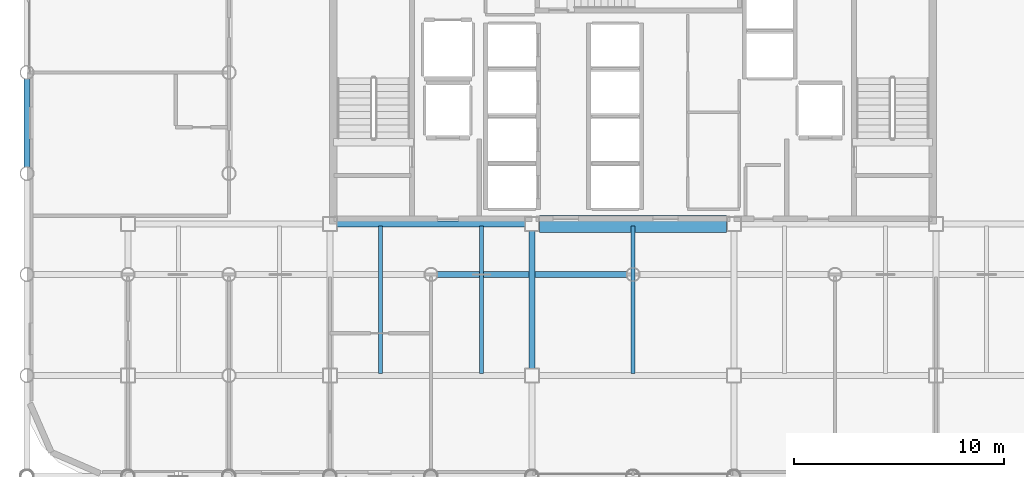
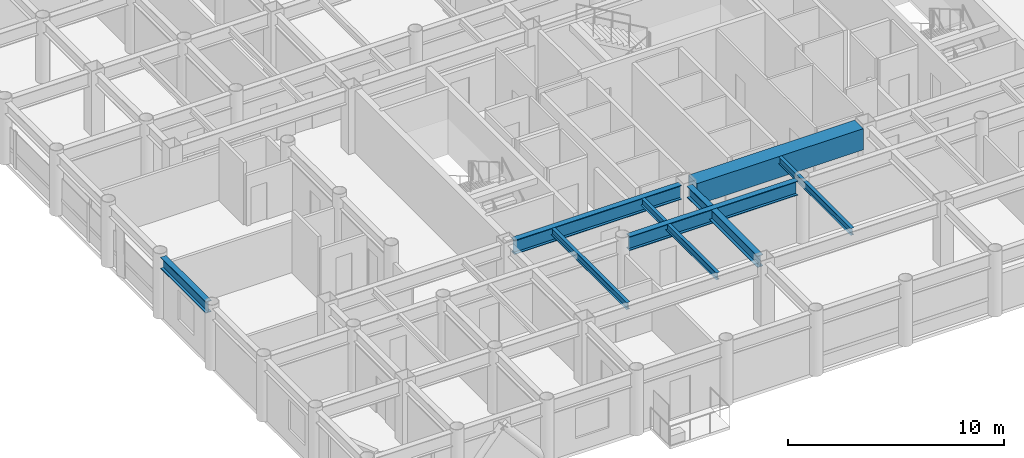
# One storey, part 3 of 22: 8 beams.
"""IFC4 building model written with IfcOpenShell, lengths in metres."""

from ifc_helpers import new_model, si_unit, direction, frame, origin, origin_2d, place, context, subcontext, project, spatial, rectangle, i_section, extrude, material, material_profile, profile_set, type_object, element, save


model = new_model("IFC4")

# Units and contexts
model_context = context("Model", 3, precision=1e-05, world=origin(), true_north=direction((0.0, 1.0)))
body_context = subcontext(model_context, "Body", "Model", "MODEL_VIEW")
ifc_project = project(units=[si_unit("LENGTHUNIT", "METRE"), si_unit("AREAUNIT", "SQUARE_METRE"), si_unit("VOLUMEUNIT", "CUBIC_METRE"), si_unit("PLANEANGLEUNIT", "RADIAN"), si_unit("MASSUNIT", "GRAM", prefix="KILO")], contexts=[model_context])

# Site, building, storey
site_placement = place(None, origin())
site = spatial("IfcSite", under=ifc_project, at=site_placement, CompositionType="ELEMENT")
building_placement = place(site_placement, origin())
building = spatial("IfcBuilding", under=site, at=building_placement, Name="Kallvorn Hotel Tower", CompositionType="ELEMENT")
storey_placement = place(building_placement, frame((0.0, 0.0, 102.60009765625)))
storey = spatial("IfcBuildingStorey", under=building, at=storey_placement, Name="L24", CompositionType="ELEMENT", Elevation=102.60009765625)

# Beams
ifc_material_1 = material(Name="Structural steel S355JR", Category="steel")
ifc_material_profile_1 = material_profile(ifc_material_1, i_section(OverallWidth=0.300048828125, OverallDepth=0.64990234375, WebThickness=0.01611328125, FlangeThickness=0.031005859375, at=origin_2d()), Name="HE 650 B")
ifc_profile_set_1 = profile_set([ifc_material_profile_1], Name="Structural steel S355JR")
beam_type_1 = type_object("IfcBeamType", Name="BM_HE650B", PredefinedType="BEAM", material=ifc_profile_set_1)
beam_1_placement = place(storey_placement, frame((-28.800048828125, -4.4951171875, 3.19482421875), z_axis=(0.0, 1.0, 0.0), x_axis=(-1.0, 0.0, 0.0)))
element("IfcBeam", 1, at=beam_1_placement, inside=storey, type_object=beam_type_1, Name="L25 Primary Y-Girder 76", PredefinedType="BEAM", context=body_context, shape_type="SweptSolid", body=[
    extrude(i_section(OverallWidth=0.300048828125, OverallDepth=0.64990234375, WebThickness=0.01611328125, FlangeThickness=0.031005859375, at=origin_2d()), origin(), (0.0, 0.0, 1.0), 4.190185546875),
])
beam_2_placement = place(storey_placement, frame((-4.800048828125, -14.074951171875, 3.19482421875), z_axis=(0.0, 1.0, 0.0), x_axis=(-1.0, 0.0, 0.0)))
element("IfcBeam", 2, at=beam_2_placement, inside=storey, type_object=beam_type_1, Name="L25 Primary Y-Girder 106", PredefinedType="BEAM", context=body_context, shape_type="SweptSolid", body=[
    extrude(i_section(OverallWidth=0.300048828125, OverallDepth=0.64990234375, WebThickness=0.01611328125, FlangeThickness=0.031005859375, at=origin_2d()), origin(), (0.0, 0.0, 1.0), 6.550048828125),
])
ifc_material_2 = material(Name="Structural steel S355JR", Category="steel")
ifc_material_profile_2 = material_profile(ifc_material_2, i_section(OverallWidth=0.300048828125, OverallDepth=0.800048828125, WebThickness=0.017578125, FlangeThickness=0.032958984375, at=origin_2d()), Name="HE 800 B")
ifc_profile_set_2 = profile_set([ifc_material_profile_2], Name="Structural steel S355JR")
beam_type_2 = type_object("IfcBeamType", Name="BM_HE800B", PredefinedType="BEAM", material=ifc_profile_set_2)
beam_3_placement = place(storey_placement, frame((-9.294921875, -9.60009765625, 3.119873046875), z_axis=(1.0, 0.0, 0.0), x_axis=(0.0, 1.0, 0.0)))
element("IfcBeam", 3, at=beam_3_placement, inside=storey, type_object=beam_type_2, Name="L25 Primary X-Girder 26", PredefinedType="BEAM", context=body_context, shape_type="SweptSolid", body=[
    extrude(i_section(OverallWidth=0.300048828125, OverallDepth=0.800048828125, WebThickness=0.017578125, FlangeThickness=0.032958984375, at=origin_2d()), origin(), (0.0, 0.0, 1.0), 8.989990234375),
])
beam_4_placement = place(storey_placement, frame((-14.074951171875, -7.199951171875, 3.119873046875), z_axis=(1.0, 0.0, 0.0), x_axis=(0.0, 1.0, 0.0)))
element("IfcBeam", 4, at=beam_4_placement, inside=storey, type_object=beam_type_2, Name="L25 Primary X-Girder 33", PredefinedType="BEAM", context=body_context, shape_type="SweptSolid", body=[
    extrude(i_section(OverallWidth=0.300048828125, OverallDepth=0.800048828125, WebThickness=0.017578125, FlangeThickness=0.032958984375, at=origin_2d()), origin(), (0.0, 0.0, 1.0), 8.949951171875),
])
ifc_material_3 = material(Name="Structural steel S355JR", Category="steel")
ifc_material_profile_3 = material_profile(ifc_material_3, i_section(OverallWidth=0.179931640625, OverallDepth=0.39990234375, WebThickness=0.008544921875, FlangeThickness=0.013427734375, at=origin_2d()), Name="IPE 400")
ifc_profile_set_3 = profile_set([ifc_material_profile_3], Name="Structural steel S355JR")
beam_type_3 = type_object("IfcBeamType", Name="BM_IPE400", PredefinedType="JOIST", material=ifc_profile_set_3)
for number, where, z_axis, x_axis, name in (
    (5, (-12.0, -14.300048828125, 3.31982421875), (0.0, 1.0, 0.0), (-1.0, 0.0, 0.0), "L25 Secondary Composite Joist 196"),
    (6, (-7.199951171875, -14.300048828125, 3.31982421875), (0.0, 1.0, 0.0), (-1.0, 0.0, 0.0), "L25 Secondary Composite Joist 198"),
    (7, (0.0, -14.300048828125, 3.31982421875), (0.0, 1.0, 0.0), (-1.0, 0.0, 0.0), "L25 Secondary Composite Joist 200"),
):
    element("IfcBeam", number, at=place(storey_placement, frame(where, z_axis=z_axis, x_axis=x_axis)), inside=storey, type_object=beam_type_3, Name=name, PredefinedType="JOIST", context=body_context, shape_type="SweptSolid", body=[
        extrude(i_section(OverallWidth=0.179931640625, OverallDepth=0.39990234375, WebThickness=0.008544921875, FlangeThickness=0.013427734375, at=origin_2d()), origin(), (0.0, 0.0, 1.0), 7.0),
    ])
ifc_material_4 = material(Name="Concrete C50/60", Category="concrete")
ifc_material_profile_4 = material_profile(ifc_material_4, rectangle(XDim=0.800048828125, YDim=1.199951171875, at=origin_2d()), Name="RC 800x1200")
ifc_profile_set_4 = profile_set([ifc_material_profile_4], Name="Concrete C50/60")
beam_type_4 = type_object("IfcBeamType", Name="BM_RC_800x1200", PredefinedType="T_BEAM", material=ifc_profile_set_4)
beam_5_placement = place(storey_placement, frame((-4.449951171875, -7.199951171875, 2.919921875), z_axis=(1.0, 0.0, 0.0), x_axis=(0.0, 1.0, 0.0)))
element("IfcBeam", 8, at=beam_5_placement, inside=storey, type_object=beam_type_4, Name="L24 Core Coupling Beam South", PredefinedType="T_BEAM", context=body_context, shape_type="SweptSolid", body=[
    extrude(rectangle(XDim=0.800048828125, YDim=1.199951171875, at=origin_2d()), origin(), (0.0, 0.0, 1.0), 8.89990234375),
])

save(model, "model.ifc")
